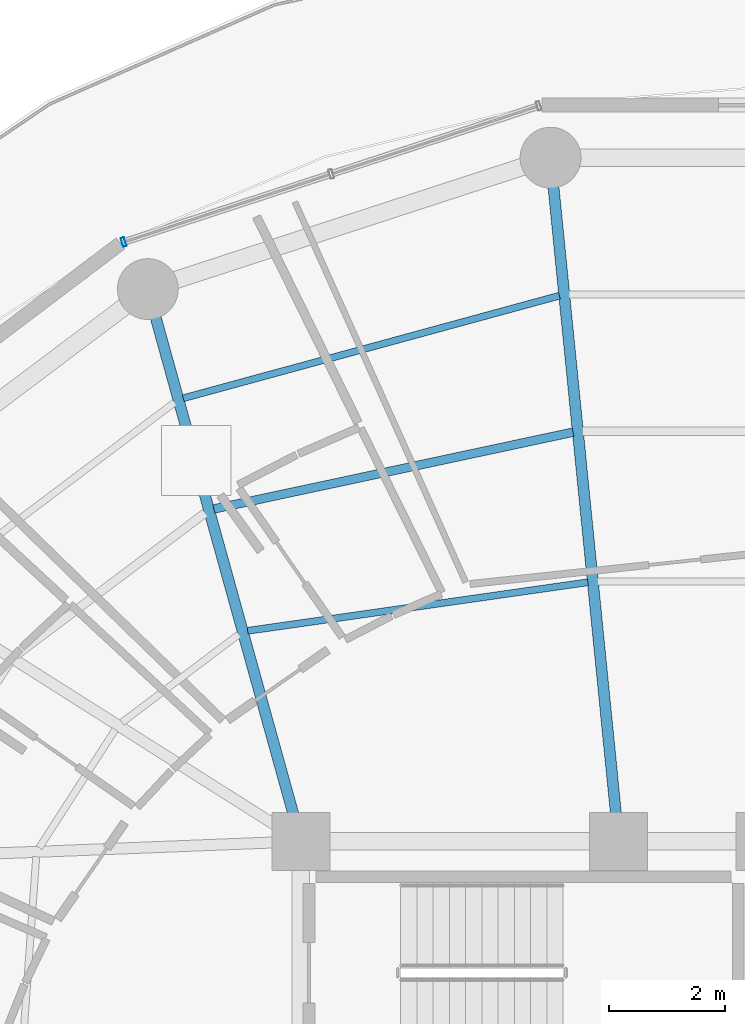
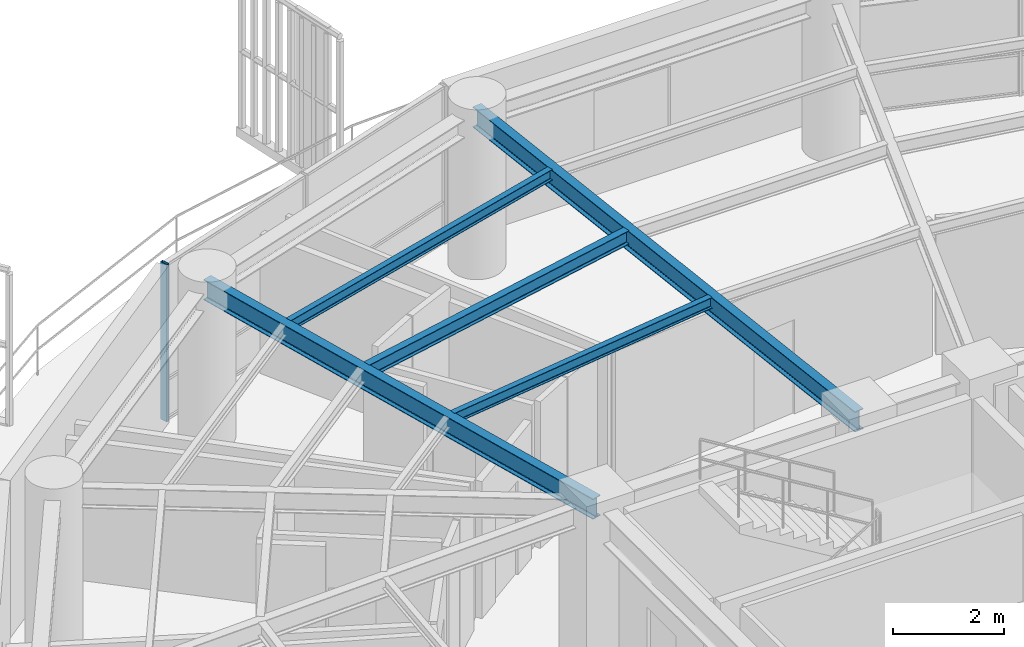
# One storey, part 18 of 31: 5 beams, 1 member, 1 element without a shape of its own.
"""IFC4 building model written with IfcOpenShell, lengths in metres."""

from ifc_helpers import new_model, si_unit, direction, frame, origin, origin_2d, place, context, subcontext, project, spatial, hollow_rectangle, i_section, extrude, material, layer, layer_set, material_profile, profile_set, type_object, element, aggregate, save


model = new_model("IFC4")

# Units and contexts
model_context = context("Model", 3, precision=1e-05, world=origin(), true_north=direction((0.0, 1.0)))
body_context = subcontext(model_context, "Body", "Model", "MODEL_VIEW")
ifc_project = project(units=[si_unit("LENGTHUNIT", "METRE"), si_unit("AREAUNIT", "SQUARE_METRE"), si_unit("VOLUMEUNIT", "CUBIC_METRE"), si_unit("PLANEANGLEUNIT", "RADIAN"), si_unit("MASSUNIT", "GRAM", prefix="KILO")], contexts=[model_context])

# Site, building, storey
site_placement = place(None, origin())
site = spatial("IfcSite", under=ifc_project, at=site_placement, CompositionType="ELEMENT")
building_placement = place(site_placement, origin())
building = spatial("IfcBuilding", under=site, at=building_placement, Name="Kelanora Arch Commons", CompositionType="ELEMENT")
storey_placement = place(building_placement, frame((0.0, 0.0, 223.199951171875)))
storey = spatial("IfcBuildingStorey", under=building, at=storey_placement, Name="L57", CompositionType="ELEMENT", Elevation=223.199951171875)

# Beams
ifc_material_1 = material(Name="Steel S355", Category="steel")
ifc_material_profile_1 = material_profile(ifc_material_1, i_section(OverallWidth=0.14990234375, OverallDepth=0.300048828125, WebThickness=0.007080078125, FlangeThickness=0.0107421875, FilletRadius=0.014892578125, at=origin_2d()), Name="IPE300")
ifc_profile_set_1 = profile_set([ifc_material_profile_1], Name="Steel S355")
beam_type_1 = type_object("IfcBeamType", Name="BM-JST-01", PredefinedType="JOIST", material=ifc_profile_set_1)
beam_1_placement = place(storey_placement, frame((70.69189453125, 72.056396484375, 3.340087890625), z_axis=(-0.977893715981, -0.209102559153, 0.0), x_axis=(0.209102559153, -0.977893715981, 0.0)))
element("IfcBeam", 1, at=beam_1_placement, inside=storey, type_object=beam_type_1, Name="Secondary Chord Joist BJB-10 L57", PredefinedType="JOIST", context=body_context, shape_type="SweptSolid", body=[
    extrude(i_section(OverallWidth=0.14990234375, OverallDepth=0.300048828125, WebThickness=0.007080078125, FlangeThickness=0.0107421875, FilletRadius=0.014892578125, at=origin_2d()), origin(), (0.0, 0.0, 1.0), 6.332763671875),
])
ifc_material_profile_2 = material_profile(ifc_material_1, i_section(OverallWidth=0.1201171875, OverallDepth=0.239990234375, WebThickness=0.006103515625, FlangeThickness=0.009765625, FilletRadius=0.014892578125, at=origin_2d()), Name="IPE240")
ifc_profile_set_2 = profile_set([ifc_material_profile_2], Name="Steel S355")
beam_type_2 = type_object("IfcBeamType", Name="BM-JST-02", PredefinedType="JOIST", material=ifc_profile_set_2)
beam_2_placement = place(storey_placement, frame((70.94921875, 69.46826171875, 3.3701171875), z_axis=(-0.989977480435, -0.141225310164, 0.0), x_axis=(0.141225310164, -0.989977480435, 0.0)))
element("IfcBeam", 2, at=beam_2_placement, inside=storey, type_object=beam_type_2, Name="Secondary Chord Joist BJA-10 L57", PredefinedType="JOIST", context=body_context, shape_type="SweptSolid", body=[
    extrude(i_section(OverallWidth=0.1201171875, OverallDepth=0.239990234375, WebThickness=0.006103515625, FlangeThickness=0.009765625, FilletRadius=0.014892578125, at=origin_2d()), origin(), (0.0, 0.0, 1.0), 5.927734375),
])
beam_3_placement = place(storey_placement, frame((70.457763671875, 74.40966796875, 3.3701171875), z_axis=(-0.964804863594, -0.262966870889, 0.0), x_axis=(0.262966870889, -0.964804863594, 0.0)))
element("IfcBeam", 3, at=beam_3_placement, inside=storey, type_object=beam_type_2, Name="Secondary Chord Joist BJC-10 L57", PredefinedType="JOIST", context=body_context, shape_type="SweptSolid", body=[
    extrude(i_section(OverallWidth=0.1201171875, OverallDepth=0.239990234375, WebThickness=0.006103515625, FlangeThickness=0.009765625, FilletRadius=0.014892578125, at=origin_2d()), origin(), (0.0, 0.0, 1.0), 6.724365234375),
])
ifc_material_profile_3 = material_profile(ifc_material_1, i_section(OverallWidth=0.18994140625, OverallDepth=0.449951171875, WebThickness=0.009521484375, FlangeThickness=0.0146484375, FilletRadius=0.02099609375, at=origin_2d()), Name="IPE450")
ifc_profile_set_3 = profile_set([ifc_material_profile_3], Name="Steel S355")
beam_type_3 = type_object("IfcBeamType", Name="BM-RAD-Z4", PredefinedType="BEAM", material=ifc_profile_set_3)
beam_4_placement = place(storey_placement, frame((71.47998046875, 65.0, 3.26513671875), z_axis=(-0.099193615558, 0.995068151753, 0.0), x_axis=(-0.995068151753, -0.099193615558, 0.0)))
element("IfcBeam", 4, at=beam_4_placement, inside=storey, type_object=beam_type_3, Name="Radial Floor Girder BR-10 L57", PredefinedType="BEAM", context=body_context, shape_type="SweptSolid", body=[
    extrude(i_section(OverallWidth=0.18994140625, OverallDepth=0.449951171875, WebThickness=0.009521484375, FlangeThickness=0.0146484375, FilletRadius=0.02099609375, at=origin_2d()), origin(), (0.0, 0.0, 1.0), 11.848388671875),
])
beam_5_placement = place(storey_placement, frame((66.0, 65.0, 3.26513671875), z_axis=(-0.267120164296, 0.963663228429, 0.0), x_axis=(-0.963663228429, -0.267120164296, 0.0)))
element("IfcBeam", 5, at=beam_5_placement, inside=storey, type_object=beam_type_3, Name="Radial Floor Girder BR-12 L57", PredefinedType="BEAM", context=body_context, shape_type="SweptSolid", body=[
    extrude(i_section(OverallWidth=0.18994140625, OverallDepth=0.449951171875, WebThickness=0.009521484375, FlangeThickness=0.0146484375, FilletRadius=0.02099609375, at=origin_2d()), origin(), (0.0, 0.0, 1.0), 9.8828125),
])

# Curtain wall, member
ifc_material_2 = material(Name="Terracotta ceramic-fritted low-E glass and aluminium", Category="masonry")
ifc_layer = layer(ifc_material_2, 0.175048828125)
ifc_layer_set = layer_set([ifc_layer], Name="Terracotta ceramic-fritted low-E glass and aluminium")
curtain_wall_type = type_object("IfcCurtainWallType", Name="CW-SYS-02", PredefinedType="NOTDEFINED", material=ifc_layer_set)
curtain_wall_placement = place(storey_placement, origin())
curtain_wall = element("IfcCurtainWall", 6, at=curtain_wall_placement, inside=storey, type_object=curtain_wall_type, Name="Unitised Curtain Wall L57-B05", PredefinedType="NOTDEFINED")
ifc_material_3 = material(Name="Powder-coated aluminium terracotta", Category="masonry")
ifc_material_profile_4 = material_profile(ifc_material_3, hollow_rectangle(XDim=0.159912109375, YDim=0.06005859375, WallThickness=0.0048828125, InnerFilletRadius=0.0048828125, OuterFilletRadius=0.010009765625, at=origin_2d()), Name="CWM160x60")
ifc_profile_set_4 = profile_set([ifc_material_profile_4], Name="Powder-coated aluminium terracotta")
member_type = type_object("IfcMemberType", Name="CWM-STD", PredefinedType="MULLION", material=ifc_profile_set_4)
member_placement = place(storey_placement, frame((62.94287109375, 75.33447265625, 0.0), z_axis=(0.0, 0.0, 1.0), x_axis=(0.311582439059, -0.950219124029, 0.0)))
member = element("IfcMember", 7, at=member_placement, type_object=member_type, Name="CW-02 mullion 3", PredefinedType="MULLION", context=body_context, shape_type="SweptSolid", body=[
    extrude(hollow_rectangle(XDim=0.159912109375, YDim=0.06005859375, WallThickness=0.0048828125, InnerFilletRadius=0.0048828125, OuterFilletRadius=0.010009765625, at=origin_2d()), origin(), (0.0, 0.0, 1.0), 3.47509765625),
])
aggregate(curtain_wall, [member])

save(model, "model.ifc")
